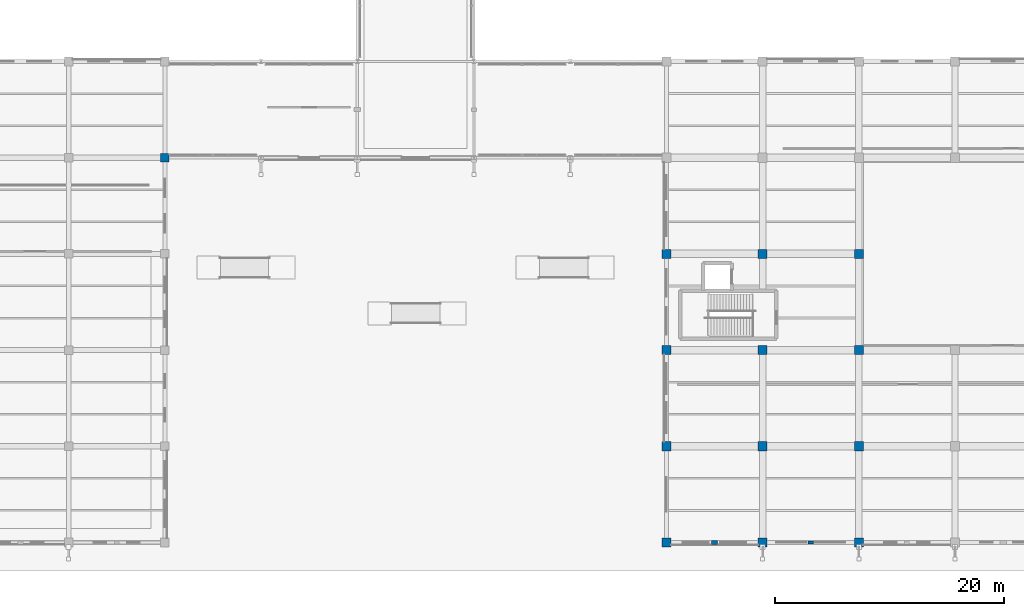
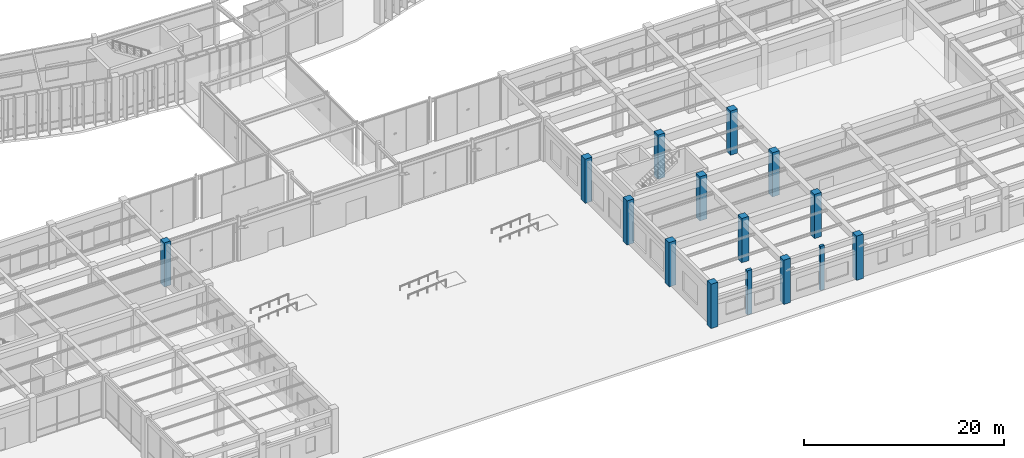
# One storey, part 2 of 157: 15 columns.
"""IFC4 building model written with IfcOpenShell, lengths in metres."""

from ifc_helpers import new_model, si_unit, direction, frame, origin, origin_2d, place, context, subcontext, project, spatial, rectangle, extrude, material, material_profile, profile_set, type_object, element, save


model = new_model("IFC4")

# Units and contexts
model_context = context("Model", 3, precision=1e-05, world=origin(), true_north=direction((0.0, 1.0)))
body_context = subcontext(model_context, "Body", "Model", "MODEL_VIEW")
ifc_project = project(units=[si_unit("LENGTHUNIT", "METRE"), si_unit("AREAUNIT", "SQUARE_METRE"), si_unit("VOLUMEUNIT", "CUBIC_METRE"), si_unit("PLANEANGLEUNIT", "RADIAN"), si_unit("MASSUNIT", "GRAM", prefix="KILO"), si_unit("THERMODYNAMICTEMPERATUREUNIT", "KELVIN"), si_unit("POWERUNIT", "WATT")], contexts=[model_context])

# Site, building, storey
site_placement = place(None, origin())
site = spatial("IfcSite", under=ifc_project, at=site_placement, CompositionType="ELEMENT")
building_placement = place(site_placement, origin())
building = spatial("IfcBuilding", under=site, at=building_placement, Name="Darbajah Civic Hall", CompositionType="ELEMENT")
storey_placement = place(building_placement, origin())
storey = spatial("IfcBuildingStorey", under=building, at=storey_placement, Name="L00", CompositionType="ELEMENT", Elevation=0.0)

# Columns
ifc_material_1 = material(Name="Concrete C45/55", Category="concrete")
ifc_material_profile_1 = material_profile(ifc_material_1, rectangle(XDim=0.449951171875, YDim=0.300048828125, at=origin_2d()), Name="PILASTER 450x300")
ifc_profile_set_1 = profile_set([ifc_material_profile_1], Name="Concrete C45/55")
column_type_1 = type_object("IfcColumnType", Name="PILASTER 450x300", PredefinedType="PILASTER", material=ifc_profile_set_1)
column_1_placement = place(storey_placement, frame((123.60009765625, 0.0, 0.0), z_axis=(0.0, 0.0, 1.0), x_axis=(1.0, 0.0, 0.0)))
element("IfcColumn", 1, at=column_1_placement, inside=storey, type_object=column_type_1, Name="L00 column PL-450", PredefinedType="PILASTER", context=body_context, shape_type="SweptSolid", body=[
    extrude(rectangle(XDim=0.449951171875, YDim=0.300048828125, at=origin_2d()), origin(), (0.0, 0.0, 1.0), 5.39990234375),
])
ifc_material_profile_2 = material_profile(ifc_material_1, rectangle(XDim=0.550048828125, YDim=0.35009765625, at=origin_2d()), Name="PILASTER 550x350")
ifc_profile_set_2 = profile_set([ifc_material_profile_2], Name="Concrete C45/55")
column_type_2 = type_object("IfcColumnType", Name="PILASTER 550x350", PredefinedType="PILASTER", material=ifc_profile_set_2)
column_2_placement = place(storey_placement, frame((115.199951171875, 0.0, 0.0), z_axis=(0.0, 0.0, 1.0), x_axis=(1.0, 0.0, 0.0)))
element("IfcColumn", 2, at=column_2_placement, inside=storey, type_object=column_type_2, Name="L00 column PL-550", PredefinedType="PILASTER", context=body_context, shape_type="SweptSolid", body=[
    extrude(rectangle(XDim=0.550048828125, YDim=0.35009765625, at=origin_2d()), origin(), (0.0, 0.0, 1.0), 5.39990234375),
])
ifc_material_2 = material(Name="Concrete C50/60", Category="concrete")
ifc_material_profile_3 = material_profile(ifc_material_2, rectangle(XDim=0.75, YDim=0.75, at=origin_2d()), Name="RC COL 750x750")
ifc_profile_set_3 = profile_set([ifc_material_profile_3], Name="Concrete C50/60")
column_type_3 = type_object("IfcColumnType", Name="RC COL 750x750", PredefinedType="COLUMN", material=ifc_profile_set_3)
column_3_placement = place(storey_placement, frame((67.199951171875, 33.60009765625, 0.0), z_axis=(0.0, 0.0, 1.0), x_axis=(1.0, 0.0, 0.0)))
element("IfcColumn", 3, at=column_3_placement, inside=storey, type_object=column_type_3, Name="L00 column C-RC750", PredefinedType="COLUMN", context=body_context, shape_type="SweptSolid", body=[
    extrude(rectangle(XDim=0.75, YDim=0.75, at=origin_2d()), origin(), (0.0, 0.0, 1.0), 5.39990234375),
])
ifc_material_profile_4 = material_profile(ifc_material_2, rectangle(XDim=0.800048828125, YDim=0.800048828125, at=origin_2d()), Name="RC COL 800x800")
ifc_profile_set_4 = profile_set([ifc_material_profile_4], Name="Concrete C50/60")
column_type_4 = type_object("IfcColumnType", Name="RC COL 800x800", PredefinedType="COLUMN", material=ifc_profile_set_4)
for number, where, z_axis, x_axis, name in (
    (4, (111.0, 0.0, 0.0), (0.0, 0.0, 1.0), (1.0, 0.0, 0.0), "L00 column C-RC800"),
    (5, (111.0, 8.39990234375, 0.0), (0.0, 0.0, 1.0), (1.0, 0.0, 0.0), "L00 column C-RC800"),
    (6, (111.0, 16.800048828125, 0.0), (0.0, 0.0, 1.0), (1.0, 0.0, 0.0), "L00 column C-RC800"),
    (7, (111.0, 25.199951171875, 0.0), (0.0, 0.0, 1.0), (1.0, 0.0, 0.0), "L00 column C-RC800"),
    (8, (119.39990234375, 0.0, 0.0), (0.0, 0.0, 1.0), (1.0, 0.0, 0.0), "L00 column C-RC800"),
    (9, (119.39990234375, 8.39990234375, 0.0), (0.0, 0.0, 1.0), (1.0, 0.0, 0.0), "L00 column C-RC800"),
    (10, (119.39990234375, 16.800048828125, 0.0), (0.0, 0.0, 1.0), (1.0, 0.0, 0.0), "L00 column C-RC800"),
    (11, (119.39990234375, 25.199951171875, 0.0), (0.0, 0.0, 1.0), (1.0, 0.0, 0.0), "L00 column C-RC800"),
    (12, (127.800048828125, 0.0, 0.0), (0.0, 0.0, 1.0), (1.0, 0.0, 0.0), "L00 column C-RC800"),
    (13, (127.800048828125, 8.39990234375, 0.0), (0.0, 0.0, 1.0), (1.0, 0.0, 0.0), "L00 column C-RC800"),
    (14, (127.800048828125, 16.800048828125, 0.0), (0.0, 0.0, 1.0), (1.0, 0.0, 0.0), "L00 column C-RC800"),
    (15, (127.800048828125, 25.199951171875, 0.0), (0.0, 0.0, 1.0), (1.0, 0.0, 0.0), "L00 column C-RC800"),
):
    element("IfcColumn", number, at=place(storey_placement, frame(where, z_axis=z_axis, x_axis=x_axis)), inside=storey, type_object=column_type_4, Name=name, PredefinedType="COLUMN", context=body_context, shape_type="SweptSolid", body=[
        extrude(rectangle(XDim=0.800048828125, YDim=0.800048828125, at=origin_2d()), origin(), (0.0, 0.0, 1.0), 5.39990234375),
    ])

save(model, "model.ifc")
